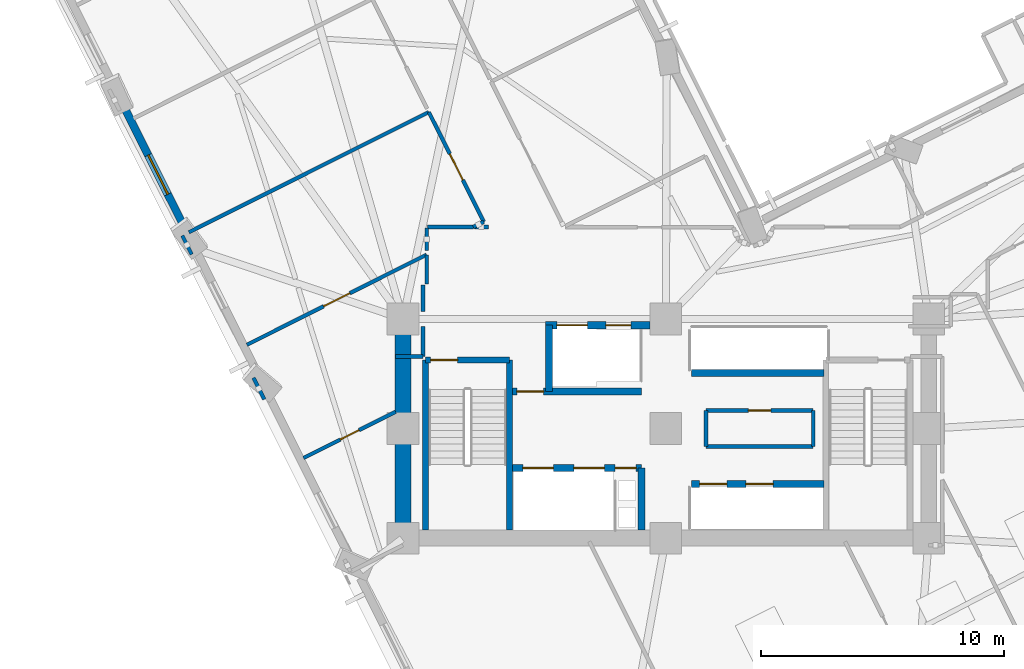
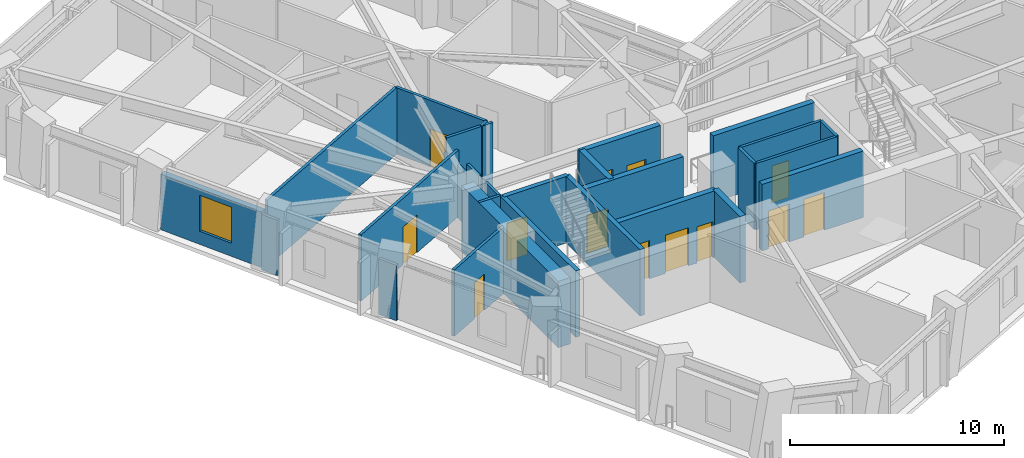
# One storey, part 8 of 16: 30 walls, 13 doors, 1 window, 14 openings.
"""IFC4 building model written with IfcOpenShell, lengths in metres."""

from ifc_helpers import new_model, si_unit, direction, frame, frame_2d, origin, place, context, subcontext, project, spatial, rectangle, extrude, material, layer, layer_set, type_object, element, fill, save


model = new_model("IFC4")

# Units and contexts
model_context = context("Model", 3, precision=1e-05, world=origin(), true_north=direction((0.0, 1.0)))
body_context = subcontext(model_context, "Body", "Model", "MODEL_VIEW")
ifc_project = project(units=[si_unit("LENGTHUNIT", "METRE"), si_unit("AREAUNIT", "SQUARE_METRE"), si_unit("VOLUMEUNIT", "CUBIC_METRE"), si_unit("PLANEANGLEUNIT", "RADIAN"), si_unit("MASSUNIT", "GRAM", prefix="KILO")], contexts=[model_context])

# Site, building, storey
site_placement = place(None, origin())
site = spatial("IfcSite", under=ifc_project, at=site_placement, CompositionType="ELEMENT")
building_placement = place(site_placement, origin())
building = spatial("IfcBuilding", under=site, at=building_placement, Name="Gaonmaruhae Medical Tower", CompositionType="ELEMENT")
storey_placement = place(building_placement, frame((0.0, 0.0, 136.39990234375)))
storey = spatial("IfcBuildingStorey", under=building, at=storey_placement, Name="L32", CompositionType="ELEMENT", Elevation=136.39990234375)

# Wall
ifc_material_1 = material(Name="Concrete C60/75", Category="concrete")
ifc_layer_1 = layer(ifc_material_1, 0.64990234375)
ifc_layer_set_1 = layer_set([ifc_layer_1], Name="Concrete C60/75")
wall_type_1 = type_object("IfcWallType", Name="CW-650 Zone 2 Core Shear Wall", PredefinedType="SHEAR", material=ifc_layer_set_1)
wall_1_placement = place(storey_placement, frame((14.0, 16.800048828125, 0.0), z_axis=(0.0, 0.0, 1.0), x_axis=(0.0, -1.0, 0.0)))
element("IfcWall", 1, at=wall_1_placement, inside=storey, type_object=wall_type_1, Name="L32 Core Shear Wall CSW-W1", PredefinedType="SHEAR", context=body_context, shape_type="SweptSolid", body=[
    extrude(rectangle(XDim=9.0, YDim=0.64990234375, at=frame_2d((4.5, 0.0))), origin(), (0.0, 0.0, 1.0), 3.780029296875),
])

# Wall, opening, window
ifc_material_2 = material(Name="Precast concrete C45/55", Category="concrete")
ifc_layer_2 = layer(ifc_material_2, 0.320068359375)
ifc_layer_set_2 = layer_set([ifc_layer_2], Name="Precast concrete C45/55")
wall_type_2 = type_object("IfcWallType", Name="EW-320 Lower Precast Masonry-Frame Facade Wall", PredefinedType="SOLIDWALL", material=ifc_layer_set_2)
wall_2_placement = place(storey_placement, frame((5.0869140625, 20.43408203125, 0.0), z_axis=(0.0, 0.0, 1.0), x_axis=(-0.447768773835, 0.894149386388, 0.0)))
wall_2 = element("IfcWall", 2, at=wall_2_placement, inside=storey, type_object=wall_type_2, Name="L32 Precast Masonry-Frame Wall W02-W03", PredefinedType="SOLIDWALL", context=body_context, shape_type="SweptSolid", body=[
    extrude(rectangle(XDim=5.6279296875, YDim=0.320068359375, at=frame_2d((2.81396484375, 0.0))), origin(), (0.0, 0.0, 1.0), 3.1650390625),
])
opening_1_placement = place(wall_2_placement, frame((1.666748046875, 0.0, 0.75)))
opening_1 = element("IfcOpeningElement", 3, at=opening_1_placement, cuts=wall_2, Name="Opening WN-04", PredefinedType="OPENING", context=body_context, shape_type="SweptSolid", body=[
    extrude(rectangle(XDim=1.800048828125, YDim=2.050048828125, at=frame_2d((0.89990234375, 1.02490234375))), frame((0.0, 0.169921875, 0.0), z_axis=(0.0, -1.0, 0.0), x_axis=(1.0, 0.0, 0.0)), (0.0, 0.0, 1.0), 0.340087890625),
])
ifc_material_3 = material(Name="Anodised aluminium and Low-E double glazing", Category="aluminium")
window_type = type_object("IfcWindowType", Name="WN-04 Clinic & Consult Punched Window 1800x2050", PartitioningType="SINGLE_PANEL", PredefinedType="WINDOW", material=ifc_material_3)
window_placement = place(opening_1_placement, origin())
window = element("IfcWindow", 4, at=window_placement, inside=storey, type_object=window_type, Name="L32 Modular Facade Window W02", OverallHeight=2.050048828125, OverallWidth=1.800048828125, PartitioningType="SINGLE_PANEL", PredefinedType="WINDOW", context=body_context, shape_type="SweptSolid", body=[
    extrude(rectangle(XDim=1.800048828125, YDim=2.050048828125, at=frame_2d((0.89990234375, 1.02490234375))), frame((0.0, 0.030029296875, 0.0), z_axis=(0.0, -1.0, 0.0), x_axis=(1.0, 0.0, 0.0)), (0.0, 0.0, 1.0), 0.06005859375),
])
fill(opening_1, window)

# Wall
ifc_material_4 = material(Name="Gypsum board partition", Category="gypsum")
ifc_layer_3 = layer(ifc_material_4, 0.14990234375)
ifc_layer_set_3 = layer_set([ifc_layer_3], Name="Gypsum board partition")
wall_type_3 = type_object("IfcWallType", Name="PW-150 Rated Clinical Corridor Partition", PredefinedType="PARTITIONING", material=ifc_layer_set_3)
wall_3_placement = place(storey_placement, frame((26.449951171875, 11.56005859375, 0.0), z_axis=(0.0, 0.0, 1.0), x_axis=(0.0, 1.0, 0.0)))
element("IfcWall", 5, at=wall_3_placement, inside=storey, type_object=wall_type_3, Name="L32 Interior Partition L32-CS1-1", PredefinedType="PARTITIONING", context=body_context, shape_type="SweptSolid", body=[
    extrude(rectangle(XDim=1.47998046875, YDim=0.14990234375, at=frame_2d((0.739990234375, 0.0))), origin(), (0.0, 0.0, 1.0), 3.780029296875),
])

# Wall, opening, door
wall_4_placement = place(storey_placement, frame((26.449951171875, 13.0400390625, 0.0), z_axis=(0.0, 0.0, 1.0), x_axis=(1.0, 0.0, 0.0)))
wall_4 = element("IfcWall", 6, at=wall_4_placement, inside=storey, type_object=wall_type_3, Name="L32 Interior Partition L32-CS1-2", PredefinedType="PARTITIONING", context=body_context, shape_type="SweptSolid", body=[
    extrude(rectangle(XDim=4.400146484375, YDim=0.14990234375, at=frame_2d((2.2001953125, 0.0))), origin(), (0.0, 0.0, 1.0), 3.780029296875),
])
opening_2_placement = place(wall_4_placement, frame((1.739990234375, 0.0, 0.0)))
opening_2 = element("IfcOpeningElement", 7, at=opening_2_placement, cuts=wall_4, Name="Opening UD-01", PredefinedType="OPENING", context=body_context, shape_type="SweptSolid", body=[
    extrude(rectangle(XDim=0.919921875, YDim=2.10009765625, at=frame_2d((0.4599609375, 1.050048828125))), frame((0.0, 0.0849609375, 0.0), z_axis=(0.0, -1.0, 0.0), x_axis=(1.0, 0.0, 0.0)), (0.0, 0.0, 1.0), 0.169921875),
])
ifc_material_5 = material(Name="Powder-coated steel utility door", Category="steel")
door_type_1 = type_object("IfcDoorType", Name="UD-01 Toilet, Utility & Housekeeping Door 920x2100", OperationType="NOTDEFINED", PredefinedType="DOOR", material=ifc_material_5)
door_1_placement = place(opening_2_placement, origin())
door_1 = element("IfcDoor", 8, at=door_1_placement, inside=storey, type_object=door_type_1, Name="L32 Clean Linen Utility Store Door", OperationType="SINGLE_SWING_RIGHT", OverallHeight=2.10009765625, OverallWidth=0.919921875, PredefinedType="DOOR", context=body_context, shape_type="SweptSolid", body=[
    extrude(rectangle(XDim=0.919921875, YDim=2.10009765625, at=frame_2d((0.4599609375, 1.050048828125))), frame((0.0, 0.02490234375, 0.0), z_axis=(0.0, -1.0, 0.0), x_axis=(1.0, 0.0, 0.0)), (0.0, 0.0, 1.0), 0.050048828125),
])
fill(opening_2, door_1)

# Walls
wall_5_placement = place(storey_placement, frame((30.85009765625, 13.0400390625, 0.0), z_axis=(0.0, 0.0, 1.0), x_axis=(0.0, -1.0, 0.0)))
element("IfcWall", 9, at=wall_5_placement, inside=storey, type_object=wall_type_3, Name="L32 Interior Partition L32-CS1-3", PredefinedType="PARTITIONING", context=body_context, shape_type="SweptSolid", body=[
    extrude(rectangle(XDim=1.47998046875, YDim=0.14990234375, at=frame_2d((0.739990234375, 0.0))), origin(), (0.0, 0.0, 1.0), 3.780029296875),
])
wall_6_placement = place(storey_placement, frame((30.85009765625, 11.56005859375, 0.0), z_axis=(0.0, 0.0, 1.0), x_axis=(-1.0, 0.0, 0.0)))
element("IfcWall", 10, at=wall_6_placement, inside=storey, type_object=wall_type_3, Name="L32 Interior Partition L32-CS1-4", PredefinedType="PARTITIONING", context=body_context, shape_type="SweptSolid", body=[
    extrude(rectangle(XDim=4.400146484375, YDim=0.14990234375, at=frame_2d((2.2001953125, 0.0))), origin(), (0.0, 0.0, 1.0), 3.780029296875),
])

# Wall, opening, door
wall_7_placement = place(storey_placement, frame((9.9150390625, 11.093994140625, 0.0), z_axis=(0.0, 0.0, 1.0), x_axis=(0.894092441926, 0.447882468167, 0.0)))
wall_7 = element("IfcWall", 11, at=wall_7_placement, inside=storey, type_object=wall_type_3, Name="L32 Interior Partition L32-WOF11-37", PredefinedType="PARTITIONING", context=body_context, shape_type="SweptSolid", body=[
    extrude(rectangle(XDim=4.233154296875, YDim=0.14990234375, at=frame_2d((2.11669921875, 0.0))), origin(), (0.0, 0.0, 1.0), 3.780029296875),
])
opening_3_placement = place(wall_7_placement, frame((1.686767578125, 0.0, 0.0)))
opening_3 = element("IfcOpeningElement", 12, at=opening_3_placement, cuts=wall_7, Name="Opening AD-01", PredefinedType="OPENING", context=body_context, shape_type="SweptSolid", body=[
    extrude(rectangle(XDim=0.860107421875, YDim=2.06005859375, at=frame_2d((0.43017578125, 1.030029296875))), frame((0.0, 0.0849609375, 0.0), z_axis=(0.0, -1.0, 0.0), x_axis=(1.0, 0.0, 0.0)), (0.0, 0.0, 1.0), 0.169921875),
])
ifc_material_6 = material(Name="Powder-coated steel access door", Category="steel")
door_type_2 = type_object("IfcDoorType", Name="AD-01 Riser & Closet Access Fire Door 860x2060", OperationType="NOTDEFINED", PredefinedType="DOOR", material=ifc_material_6)
door_2_placement = place(opening_3_placement, origin())
door_2 = element("IfcDoor", 13, at=door_2_placement, inside=storey, type_object=door_type_2, Name="L32 Ward Physician Reporting Office Sliding Door", OperationType="SLIDING_TO_LEFT", OverallHeight=2.06005859375, OverallWidth=0.860107421875, PredefinedType="DOOR", context=body_context, shape_type="SweptSolid", body=[
    extrude(rectangle(XDim=0.860107421875, YDim=2.06005859375, at=frame_2d((0.43017578125, 1.030029296875))), frame((0.0, 0.02490234375, 0.0), z_axis=(0.0, -1.0, 0.0), x_axis=(1.0, 0.0, 0.0)), (0.0, 0.0, 1.0), 0.050048828125),
])
fill(opening_3, door_2)

# Walls
wall_8_placement = place(storey_placement, frame((14.820068359375, 18.199951171875, 0.0), z_axis=(0.0, 0.0, 1.0), x_axis=(0.0, -1.0, 0.0)))
element("IfcWall", 14, at=wall_8_placement, inside=storey, type_object=wall_type_3, Name="L32 Interior Partition L32-WCL12-38", PredefinedType="PARTITIONING", context=body_context, shape_type="SweptSolid", body=[
    extrude(rectangle(XDim=1.091064453125, YDim=0.14990234375, at=frame_2d((0.54541015625, 0.0))), origin(), (0.0, 0.0, 1.0), 3.780029296875),
])
wall_9_placement = place(storey_placement, frame((14.820068359375, 16.490966796875, 0.0), z_axis=(0.0, 0.0, 1.0), x_axis=(0.0, -1.0, 0.0)))
element("IfcWall", 15, at=wall_9_placement, inside=storey, type_object=wall_type_3, Name="L32 Interior Partition L32-WCL12-39", PredefinedType="PARTITIONING", context=body_context, shape_type="SweptSolid", body=[
    extrude(rectangle(XDim=1.23095703125, YDim=0.14990234375, at=frame_2d((0.615478515625, 0.0))), origin(), (0.0, 0.0, 1.0), 3.780029296875),
])
wall_10_placement = place(storey_placement, frame((14.820068359375, 15.260009765625, 0.0), z_axis=(0.0, 0.0, 1.0), x_axis=(-1.0, 0.0, 0.0)))
element("IfcWall", 16, at=wall_10_placement, inside=storey, type_object=wall_type_3, Name="L32 Interior Partition L32-WCL12-40", PredefinedType="PARTITIONING", context=body_context, shape_type="SweptSolid", body=[
    extrude(rectangle(XDim=1.1201171875, YDim=0.14990234375, at=frame_2d((0.56005859375, 0.0))), origin(), (0.0, 0.0, 1.0), 3.780029296875),
])
wall_11_placement = place(storey_placement, frame((8.301025390625, 13.501953125, 0.0), z_axis=(0.0, 0.0, 1.0), x_axis=(-0.448492436282, 0.893786626996, 0.0)))
element("IfcWall", 17, at=wall_11_placement, inside=storey, type_object=wall_type_3, Name="L32 Interior Partition L32-WCL12-41", PredefinedType="PARTITIONING", context=body_context, shape_type="SweptSolid", body=[
    extrude(rectangle(XDim=0.992431640625, YDim=0.14990234375, at=frame_2d((0.49609375, 0.0))), origin(), (0.0, 0.0, 1.0), 3.1650390625),
])

# Wall, opening, door
wall_12_placement = place(storey_placement, frame((7.5869140625, 15.743896484375, 0.0), z_axis=(0.0, 0.0, 1.0), x_axis=(0.894160922131, 0.447745737371, 0.0)))
wall_12 = element("IfcWall", 18, at=wall_12_placement, inside=storey, type_object=wall_type_3, Name="L32 Interior Partition L32-WCL12-42", PredefinedType="PARTITIONING", context=body_context, shape_type="SweptSolid", body=[
    extrude(rectangle(XDim=8.257080078125, YDim=0.14990234375, at=frame_2d((4.12841796875, 0.0))), origin(), (0.0, 0.0, 1.0), 3.780029296875),
])
opening_4_placement = place(wall_12_placement, frame((3.528564453125, 0.0, 0.0)))
opening_4 = element("IfcOpeningElement", 19, at=opening_4_placement, cuts=wall_12, Name="Opening CD-02", PredefinedType="OPENING", context=body_context, shape_type="SweptSolid", body=[
    extrude(rectangle(XDim=1.199951171875, YDim=2.14990234375, at=frame_2d((0.60009765625, 1.074951171875))), frame((0.0, 0.0849609375, 0.0), z_axis=(0.0, -1.0, 0.0), x_axis=(1.0, 0.0, 0.0)), (0.0, 0.0, 1.0), 0.169921875),
])
ifc_material_7 = material(Name="Antimicrobial laminate timber fire door", Category="wood")
door_type_3 = type_object("IfcDoorType", Name="CD-02 Clinical Treatment & Procedure Door 1200x2150", OperationType="NOTDEFINED", PredefinedType="DOOR", material=ifc_material_7)
door_3_placement = place(opening_4_placement, origin())
door_3 = element("IfcDoor", 20, at=door_3_placement, inside=storey, type_object=door_type_3, Name="L32 Specialist Consultation Office Sliding Door", OperationType="SLIDING_TO_LEFT", OverallHeight=2.14990234375, OverallWidth=1.199951171875, PredefinedType="DOOR", context=body_context, shape_type="SweptSolid", body=[
    extrude(rectangle(XDim=1.199951171875, YDim=2.14990234375, at=frame_2d((0.60009765625, 1.074951171875))), frame((0.0, 0.02490234375, 0.0), z_axis=(0.0, -1.0, 0.0), x_axis=(1.0, 0.0, 0.0)), (0.0, 0.0, 1.0), 0.050048828125),
])
fill(opening_4, door_3)

# Walls
wall_13_placement = place(storey_placement, frame((14.969970703125, 19.44091796875, 0.0), z_axis=(0.0, 0.0, 1.0), x_axis=(0.0, -1.0, 0.0)))
element("IfcWall", 21, at=wall_13_placement, inside=storey, type_object=wall_type_3, Name="L32 Interior Partition L32-WCL12-43", PredefinedType="PARTITIONING", context=body_context, shape_type="SweptSolid", body=[
    extrude(rectangle(XDim=1.2109375, YDim=0.14990234375, at=frame_2d((0.60546875, 0.0))), origin(), (0.0, 0.0, 1.0), 2.965087890625),
])
wall_14_placement = place(storey_placement, frame((14.969970703125, 20.550048828125, 0.0), z_axis=(0.0, 0.0, 1.0), x_axis=(0.0, -1.0, 0.0)))
element("IfcWall", 22, at=wall_14_placement, inside=storey, type_object=wall_type_3, Name="L32 Interior Partition L32-WOF13-44", PredefinedType="PARTITIONING", context=body_context, shape_type="SweptSolid", body=[
    extrude(rectangle(XDim=0.929931640625, YDim=0.14990234375, at=frame_2d((0.46484375, 0.0))), origin(), (0.0, 0.0, 1.0), 2.965087890625),
])
wall_15_placement = place(storey_placement, frame((5.321044921875, 19.451904296875, 0.0), z_axis=(0.0, 0.0, 1.0), x_axis=(-0.447325844386, 0.894371057752, 0.0)))
element("IfcWall", 23, at=wall_15_placement, inside=storey, type_object=wall_type_3, Name="L32 Interior Partition L32-WOF13-45", PredefinedType="PARTITIONING", context=body_context, shape_type="SweptSolid", body=[
    extrude(rectangle(XDim=0.869873046875, YDim=0.14990234375, at=frame_2d((0.43505859375, 0.0))), origin(), (0.0, 0.0, 1.0), 3.1650390625),
])
wall_16_placement = place(storey_placement, frame((5.202880859375, 20.365966796875, 0.0), z_axis=(0.0, 0.0, 1.0), x_axis=(0.894174650725, 0.447718319929, 0.0)))
element("IfcWall", 24, at=wall_16_placement, inside=storey, type_object=wall_type_3, Name="L32 Interior Partition L32-WOF13-46", PredefinedType="PARTITIONING", context=body_context, shape_type="SweptSolid", body=[
    extrude(rectangle(XDim=11.027099609375, YDim=0.14990234375, at=frame_2d((5.513671875, 0.0))), origin(), (0.0, 0.0, 1.0), 3.780029296875),
])

# Wall, opening, door
wall_17_placement = place(storey_placement, frame((15.06298828125, 25.302978515625, 0.0), z_axis=(0.0, 0.0, 1.0), x_axis=(0.447620432857, -0.894223656637, 0.0)))
wall_17 = element("IfcWall", 25, at=wall_17_placement, inside=storey, type_object=wall_type_3, Name="L32 Interior Partition L32-WOF13-47", PredefinedType="PARTITIONING", context=body_context, shape_type="SweptSolid", body=[
    extrude(rectangle(XDim=5.040283203125, YDim=0.14990234375, at=frame_2d((2.52001953125, 0.0))), origin(), (0.0, 0.0, 1.0), 3.780029296875),
])
opening_5_placement = place(wall_17_placement, frame((1.919921875, 0.0, 0.0)))
opening_5 = element("IfcOpeningElement", 26, at=opening_5_placement, cuts=wall_17, Name="Opening CD-02", PredefinedType="OPENING", context=body_context, shape_type="SweptSolid", body=[
    extrude(rectangle(XDim=1.199951171875, YDim=2.14990234375, at=frame_2d((0.60009765625, 1.074951171875))), frame((0.0, 0.0849609375, 0.0), z_axis=(0.0, -1.0, 0.0), x_axis=(1.0, 0.0, 0.0)), (0.0, 0.0, 1.0), 0.169921875),
])
door_4_placement = place(opening_5_placement, origin())
door_4 = element("IfcDoor", 27, at=door_4_placement, inside=storey, type_object=door_type_3, Name="L32 Ward Physician Reporting Office Door", OperationType="SINGLE_SWING_RIGHT", OverallHeight=2.14990234375, OverallWidth=1.199951171875, PredefinedType="DOOR", context=body_context, shape_type="SweptSolid", body=[
    extrude(rectangle(XDim=1.199951171875, YDim=2.14990234375, at=frame_2d((0.60009765625, 1.074951171875))), frame((0.0, 0.02490234375, 0.0), z_axis=(0.0, -1.0, 0.0), x_axis=(1.0, 0.0, 0.0)), (0.0, 0.0, 1.0), 0.050048828125),
])
fill(opening_5, door_4)

# Walls
wall_18_placement = place(storey_placement, frame((17.319091796875, 20.7958984375, 0.0), z_axis=(0.0, 0.0, 1.0), x_axis=(-0.894629275708, -0.446809197585, 0.0)))
element("IfcWall", 28, at=wall_18_placement, inside=storey, type_object=wall_type_3, Name="L32 Interior Partition L32-WOF13-48", PredefinedType="PARTITIONING", context=body_context, shape_type="SweptSolid", body=[
    extrude(rectangle(XDim=0.48291015625, YDim=0.14990234375, at=frame_2d((0.241455078125, 0.0))), origin(), (0.0, 0.0, 1.0), 3.780029296875),
])
wall_19_placement = place(storey_placement, frame((16.886962890625, 20.580078125, 0.0), z_axis=(0.0, 0.0, 1.0), x_axis=(-1.0, 0.0, 0.0)))
element("IfcWall", 29, at=wall_19_placement, inside=storey, type_object=wall_type_3, Name="L32 Interior Partition L32-WOF13-49", PredefinedType="PARTITIONING", context=body_context, shape_type="SweptSolid", body=[
    extrude(rectangle(XDim=1.889892578125, YDim=0.14990234375, at=frame_2d((0.94482421875, 0.0))), origin(), (0.0, 0.0, 1.0), 3.780029296875),
])
wall_20_placement = place(storey_placement, frame((17.506103515625, 20.580078125, 0.0), z_axis=(0.0, 0.0, 1.0), x_axis=(-1.0, 0.0, 0.0)))
element("IfcWall", 30, at=wall_20_placement, inside=storey, type_object=wall_type_3, Name="L32 Interior Partition L32-RM03-101", PredefinedType="PARTITIONING", context=body_context, shape_type="SweptSolid", body=[
    extrude(rectangle(XDim=0.57421875, YDim=0.14990234375, at=frame_2d((0.287109375, 0.0))), origin(), (0.0, 0.0, 1.0), 3.780029296875),
])

# Wall, opening, door
ifc_material_8 = material(Name="Concrete C50/60", Category="concrete")
ifc_layer_4 = layer(ifc_material_8, 0.239990234375)
ifc_layer_set_4 = layer_set([ifc_layer_4], Name="Concrete C50/60")
wall_type_4 = type_object("IfcWallType", Name="SW-240 Dogleg Stair Tight Shaft Wall", PredefinedType="SOLIDWALL", material=ifc_layer_set_4)
wall_21_placement = place(storey_placement, frame((14.919921875, 15.1201171875, 0.0), z_axis=(0.0, 0.0, 1.0), x_axis=(1.0, 0.0, 0.0)))
wall_21 = element("IfcWall", 31, at=wall_21_placement, inside=storey, type_object=wall_type_4, Name="L32 ST-01 Stair Shaft Wall SHW-ST-01-N", PredefinedType="SOLIDWALL", context=body_context, shape_type="SweptSolid", body=[
    extrude(rectangle(XDim=3.4599609375, YDim=0.239990234375, at=frame_2d((1.72998046875, 0.0))), origin(), (0.0, 0.0, 1.0), 3.780029296875),
])
opening_6_placement = place(wall_21_placement, frame((0.219970703125, 0.0, 0.0)))
opening_6 = element("IfcOpeningElement", 32, at=opening_6_placement, cuts=wall_21, Name="Opening FD-01", PredefinedType="OPENING", context=body_context, shape_type="SweptSolid", body=[
    extrude(rectangle(XDim=1.10009765625, YDim=2.14990234375, at=frame_2d((0.550048828125, 1.074951171875))), frame((0.0, 0.1298828125, 0.0), z_axis=(0.0, -1.0, 0.0), x_axis=(1.0, 0.0, 0.0)), (0.0, 0.0, 1.0), 0.260009765625),
])
ifc_material_9 = material(Name="Powder-coated steel fire door", Category="steel")
door_type_4 = type_object("IfcDoorType", Name="FD-01 Escape Stair Protected Fire Door 1100x2150", OperationType="NOTDEFINED", PredefinedType="DOOR", material=ifc_material_9)
door_5_placement = place(opening_6_placement, origin())
door_5 = element("IfcDoor", 33, at=door_5_placement, inside=storey, type_object=door_type_4, Name="L32 ST-01 Protected Escape Stair Door", OperationType="SINGLE_SWING_RIGHT", OverallHeight=2.14990234375, OverallWidth=1.10009765625, PredefinedType="DOOR", context=body_context, shape_type="SweptSolid", body=[
    extrude(rectangle(XDim=1.10009765625, YDim=2.14990234375, at=frame_2d((0.550048828125, 1.074951171875))), frame((0.0, 0.02490234375, 0.0), z_axis=(0.0, -1.0, 0.0), x_axis=(1.0, 0.0, 0.0)), (0.0, 0.0, 1.0), 0.050048828125),
])
fill(opening_6, door_5)

# Walls
for number, where, z_axis, x_axis, name in (
    (34, (18.3798828125, 15.1201171875, 0.0), (0.0, 0.0, 1.0), (0.0, -1.0, 0.0), "L32 ST-01 Stair Shaft Wall SHW-ST-01-E"),
    (35, (14.919921875, 8.125, 0.0), (0.0, 0.0, 1.0), (0.0, 1.0, 0.0), "L32 ST-01 Stair Shaft Wall SHW-ST-01-W"),
):
    element("IfcWall", number, at=place(storey_placement, frame(where, z_axis=z_axis, x_axis=x_axis)), inside=storey, type_object=wall_type_4, Name=name, PredefinedType="SOLIDWALL", context=body_context, shape_type="SweptSolid", body=[
        extrude(rectangle(XDim=6.9951171875, YDim=0.239990234375, at=frame_2d((3.49755859375, 0.0))), origin(), (0.0, 0.0, 1.0), 3.780029296875),
    ])

# Wall, openings, doors
ifc_layer_5 = layer(ifc_material_8, 0.300048828125)
ifc_layer_set_5 = layer_set([ifc_layer_5], Name="Concrete C50/60")
wall_type_5 = type_object("IfcWallType", Name="SW-300 Stair & Lift Hoistway Shaft Wall", PredefinedType="SOLIDWALL", material=ifc_layer_set_5)
wall_22_placement = place(storey_placement, frame((19.85009765625, 16.550048828125, 0.0), z_axis=(0.0, 0.0, 1.0), x_axis=(1.0, 0.0, 0.0)))
wall_22 = element("IfcWall", 36, at=wall_22_placement, inside=storey, type_object=wall_type_5, Name="L32 Core Shear Wall CSW-NB", PredefinedType="SOLIDWALL", context=body_context, shape_type="SweptSolid", body=[
    extrude(rectangle(XDim=4.2998046875, YDim=0.300048828125, at=frame_2d((2.14990234375, 0.0))), origin(), (0.0, 0.0, 1.0), 3.780029296875),
])
opening_7_placement = place(wall_22_placement, frame((0.47509765625, 0.0, 0.0)))
opening_7 = element("IfcOpeningElement", 37, at=opening_7_placement, cuts=wall_22, Name="Opening LD-F1", PredefinedType="OPENING", context=body_context, shape_type="SweptSolid", body=[
    extrude(rectangle(XDim=1.25, YDim=2.179931640625, at=frame_2d((0.625, 1.08984375))), frame((0.0, 0.16015625, 0.0), z_axis=(0.0, -1.0, 0.0), x_axis=(1.0, 0.0, 0.0)), (0.0, 0.0, 1.0), 0.320068359375),
])
opening_8_placement = place(wall_22_placement, frame((2.489990234375, 0.0, 0.0)))
opening_8 = element("IfcOpeningElement", 38, at=opening_8_placement, cuts=wall_22, Name="Opening LD-S1", PredefinedType="OPENING", context=body_context, shape_type="SweptSolid", body=[
    extrude(rectangle(XDim=1.02001953125, YDim=2.1201171875, at=frame_2d((0.510009765625, 1.06005859375))), frame((0.0, 0.16015625, 0.0), z_axis=(0.0, -1.0, 0.0), x_axis=(1.0, 0.0, 0.0)), (0.0, 0.0, 1.0), 0.320068359375),
])
ifc_material_10 = material(Name="Brushed stainless steel 316L landing door", Category="steel")
door_type_5 = type_object("IfcDoorType", Name="LD-F1 Firefighting & Bed Lift Sliding Landing Door 1250x2180", OperationType="NOTDEFINED", PredefinedType="DOOR", material=ifc_material_10)
door_6_placement = place(opening_7_placement, origin())
door_6 = element("IfcDoor", 39, at=door_6_placement, inside=storey, type_object=door_type_5, Name="L32 Service/Bed Lift Landing Door BDL-01", OperationType="DOUBLE_DOOR_SLIDING", OverallHeight=2.179931640625, OverallWidth=1.25, PredefinedType="DOOR", context=body_context, shape_type="SweptSolid", body=[
    extrude(rectangle(XDim=1.25, YDim=2.179931640625, at=frame_2d((0.625, 1.08984375))), frame((0.0, 0.02490234375, 0.0), z_axis=(0.0, -1.0, 0.0), x_axis=(1.0, 0.0, 0.0)), (0.0, 0.0, 1.0), 0.050048828125),
])
fill(opening_7, door_6)
ifc_material_11 = material(Name="Brushed stainless steel 304 landing door", Category="steel")
door_type_6 = type_object("IfcDoorType", Name="LD-S1 Service Lift Sliding Landing Door 1020x2120", OperationType="NOTDEFINED", PredefinedType="DOOR", material=ifc_material_11)
door_7_placement = place(opening_8_placement, origin())
door_7 = element("IfcDoor", 40, at=door_7_placement, inside=storey, type_object=door_type_6, Name="L32 Service/Bed Lift Landing Door SVL-01", OperationType="SLIDING_TO_LEFT", OverallHeight=2.1201171875, OverallWidth=1.02001953125, PredefinedType="DOOR", context=body_context, shape_type="SweptSolid", body=[
    extrude(rectangle(XDim=1.02001953125, YDim=2.1201171875, at=frame_2d((0.510009765625, 1.06005859375))), frame((0.0, 0.02490234375, 0.0), z_axis=(0.0, -1.0, 0.0), x_axis=(1.0, 0.0, 0.0)), (0.0, 0.0, 1.0), 0.050048828125),
])
fill(opening_8, door_7)

wall_23_placement = place(storey_placement, frame((18.5, 10.679931640625, 0.0), z_axis=(0.0, 0.0, 1.0), x_axis=(1.0, 0.0, 0.0)))
wall_23 = element("IfcWall", 41, at=wall_23_placement, inside=storey, type_object=wall_type_5, Name="L32 Shaft Enclosure Wall SHW-FFN", PredefinedType="SOLIDWALL", context=body_context, shape_type="SweptSolid", body=[
    extrude(rectangle(XDim=5.300048828125, YDim=0.300048828125, at=frame_2d((2.64990234375, 0.0))), origin(), (0.0, 0.0, 1.0), 3.780029296875),
])
opening_9_placement = place(wall_23_placement, frame((4.219970703125, 0.0, 0.0)))
opening_9 = element("IfcOpeningElement", 42, at=opening_9_placement, cuts=wall_23, Name="Opening AD-01", PredefinedType="OPENING", context=body_context, shape_type="SweptSolid", body=[
    extrude(rectangle(XDim=0.860107421875, YDim=2.06005859375, at=frame_2d((0.43017578125, 1.030029296875))), frame((0.0, 0.16015625, 0.0), z_axis=(0.0, -1.0, 0.0), x_axis=(1.0, 0.0, 0.0)), (0.0, 0.0, 1.0), 0.320068359375),
])
opening_10_placement = place(wall_23_placement, frame((0.425048828125, 0.0, 0.0)))
opening_10 = element("IfcOpeningElement", 43, at=opening_10_placement, cuts=wall_23, Name="Opening LD-F1", PredefinedType="OPENING", context=body_context, shape_type="SweptSolid", body=[
    extrude(rectangle(XDim=1.25, YDim=2.179931640625, at=frame_2d((0.625, 1.08984375))), frame((0.0, 0.16015625, 0.0), z_axis=(0.0, -1.0, 0.0), x_axis=(1.0, 0.0, 0.0)), (0.0, 0.0, 1.0), 0.320068359375),
])
opening_11_placement = place(wall_23_placement, frame((2.52490234375, 0.0, 0.0)))
opening_11 = element("IfcOpeningElement", 44, at=opening_11_placement, cuts=wall_23, Name="Opening LD-F1", PredefinedType="OPENING", context=body_context, shape_type="SweptSolid", body=[
    extrude(rectangle(XDim=1.25, YDim=2.179931640625, at=frame_2d((0.625, 1.08984375))), frame((0.0, 0.16015625, 0.0), z_axis=(0.0, -1.0, 0.0), x_axis=(1.0, 0.0, 0.0)), (0.0, 0.0, 1.0), 0.320068359375),
])
door_8_placement = place(opening_9_placement, origin())
door_8 = element("IfcDoor", 45, at=door_8_placement, inside=storey, type_object=door_type_2, Name="L32 Medical Gas and MEP Riser Access Door", OperationType="SINGLE_SWING_RIGHT", OverallHeight=2.06005859375, OverallWidth=0.860107421875, PredefinedType="DOOR", context=body_context, shape_type="SweptSolid", body=[
    extrude(rectangle(XDim=0.860107421875, YDim=2.06005859375, at=frame_2d((0.43017578125, 1.030029296875))), frame((0.0, 0.02490234375, 0.0), z_axis=(0.0, -1.0, 0.0), x_axis=(1.0, 0.0, 0.0)), (0.0, 0.0, 1.0), 0.050048828125),
])
fill(opening_9, door_8)
door_9_placement = place(opening_10_placement, origin())
door_9 = element("IfcDoor", 46, at=door_9_placement, inside=storey, type_object=door_type_5, Name="L32 Firefighting Lift Landing Door FFL-01", OperationType="DOUBLE_DOOR_SLIDING", OverallHeight=2.179931640625, OverallWidth=1.25, PredefinedType="DOOR", context=body_context, shape_type="SweptSolid", body=[
    extrude(rectangle(XDim=1.25, YDim=2.179931640625, at=frame_2d((0.625, 1.08984375))), frame((0.0, 0.02490234375, 0.0), z_axis=(0.0, -1.0, 0.0), x_axis=(1.0, 0.0, 0.0)), (0.0, 0.0, 1.0), 0.050048828125),
])
fill(opening_10, door_9)
door_10_placement = place(opening_11_placement, origin())
door_10 = element("IfcDoor", 47, at=door_10_placement, inside=storey, type_object=door_type_5, Name="L32 Firefighting Lift Landing Door FFL-02", OperationType="DOUBLE_DOOR_SLIDING", OverallHeight=2.179931640625, OverallWidth=1.25, PredefinedType="DOOR", context=body_context, shape_type="SweptSolid", body=[
    extrude(rectangle(XDim=1.25, YDim=2.179931640625, at=frame_2d((0.625, 1.08984375))), frame((0.0, 0.02490234375, 0.0), z_axis=(0.0, -1.0, 0.0), x_axis=(1.0, 0.0, 0.0)), (0.0, 0.0, 1.0), 0.050048828125),
])
fill(opening_11, door_10)

# Wall, opening, door
wall_24_placement = place(storey_placement, frame((18.5, 13.820068359375, 0.0), z_axis=(0.0, 0.0, 1.0), x_axis=(1.0, 0.0, 0.0)))
wall_24 = element("IfcWall", 48, at=wall_24_placement, inside=storey, type_object=wall_type_5, Name="L32 Shaft Enclosure Wall SHW-FFL", PredefinedType="SOLIDWALL", context=body_context, shape_type="SweptSolid", body=[
    extrude(rectangle(XDim=5.300048828125, YDim=0.300048828125, at=frame_2d((2.64990234375, 0.0))), origin(), (0.0, 0.0, 1.0), 3.780029296875),
])
opening_12_placement = place(wall_24_placement, frame((0.179931640625, 0.0, 0.0)))
opening_12 = element("IfcOpeningElement", 49, at=opening_12_placement, cuts=wall_24, Name="Opening FD-01", PredefinedType="OPENING", context=body_context, shape_type="SweptSolid", body=[
    extrude(rectangle(XDim=1.10009765625, YDim=2.14990234375, at=frame_2d((0.550048828125, 1.074951171875))), frame((0.0, 0.16015625, 0.0), z_axis=(0.0, -1.0, 0.0), x_axis=(1.0, 0.0, 0.0)), (0.0, 0.0, 1.0), 0.320068359375),
])
door_11_placement = place(opening_12_placement, origin())
door_11 = element("IfcDoor", 50, at=door_11_placement, inside=storey, type_object=door_type_4, Name="L32 Firefighting Lobby Smoke Door", OperationType="SINGLE_SWING_LEFT", OverallHeight=2.14990234375, OverallWidth=1.10009765625, PredefinedType="DOOR", context=body_context, shape_type="SweptSolid", body=[
    extrude(rectangle(XDim=1.10009765625, YDim=2.14990234375, at=frame_2d((0.550048828125, 1.074951171875))), frame((0.0, 0.02490234375, 0.0), z_axis=(0.0, -1.0, 0.0), x_axis=(1.0, 0.0, 0.0)), (0.0, 0.0, 1.0), 0.050048828125),
])
fill(opening_12, door_11)

# Walls
wall_25_placement = place(storey_placement, frame((23.800048828125, 8.125, 0.0), z_axis=(0.0, 0.0, 1.0), x_axis=(0.0, 1.0, 0.0)))
element("IfcWall", 51, at=wall_25_placement, inside=storey, type_object=wall_type_5, Name="L32 Shaft Enclosure Wall SHW-FFE", PredefinedType="SOLIDWALL", context=body_context, shape_type="SweptSolid", body=[
    extrude(rectangle(XDim=2.554931640625, YDim=0.300048828125, at=frame_2d((1.27734375, 0.0))), origin(), (0.0, 0.0, 1.0), 3.780029296875),
])
wall_26_placement = place(storey_placement, frame((20.0, 13.820068359375, 0.0), z_axis=(0.0, 0.0, 1.0), x_axis=(0.0, 1.0, 0.0)))
element("IfcWall", 52, at=wall_26_placement, inside=storey, type_object=wall_type_5, Name="L32 Shaft Enclosure Wall SHW-BDW", PredefinedType="SOLIDWALL", context=body_context, shape_type="SweptSolid", body=[
    extrude(rectangle(XDim=2.72998046875, YDim=0.300048828125, at=frame_2d((1.364990234375, 0.0))), origin(), (0.0, 0.0, 1.0), 3.780029296875),
])

# Wall, openings, doors
wall_27_placement = place(storey_placement, frame((25.85009765625, 10.02001953125, 0.0), z_axis=(0.0, 0.0, 1.0), x_axis=(1.0, 0.0, 0.0)))
wall_27 = element("IfcWall", 53, at=wall_27_placement, inside=storey, type_object=wall_type_5, Name="L32 Shaft Enclosure Wall SHW-PLS", PredefinedType="SOLIDWALL", context=body_context, shape_type="SweptSolid", body=[
    extrude(rectangle(XDim=5.449951171875, YDim=0.300048828125, at=frame_2d((2.72509765625, 0.0))), origin(), (0.0, 0.0, 1.0), 3.780029296875),
])
opening_13_placement = place(wall_27_placement, frame((0.340087890625, 0.0, 0.0)))
opening_13 = element("IfcOpeningElement", 54, at=opening_13_placement, cuts=wall_27, Name="Opening LD-P1", PredefinedType="OPENING", context=body_context, shape_type="SweptSolid", body=[
    extrude(rectangle(XDim=1.1201171875, YDim=2.14990234375, at=frame_2d((0.56005859375, 1.074951171875))), frame((0.0, 0.16015625, 0.0), z_axis=(0.0, -1.0, 0.0), x_axis=(1.0, 0.0, 0.0)), (0.0, 0.0, 1.0), 0.320068359375),
])
opening_14_placement = place(wall_27_placement, frame((2.239990234375, 0.0, 0.0)))
opening_14 = element("IfcOpeningElement", 55, at=opening_14_placement, cuts=wall_27, Name="Opening LD-P1", PredefinedType="OPENING", context=body_context, shape_type="SweptSolid", body=[
    extrude(rectangle(XDim=1.1201171875, YDim=2.14990234375, at=frame_2d((0.56005859375, 1.074951171875))), frame((0.0, 0.16015625, 0.0), z_axis=(0.0, -1.0, 0.0), x_axis=(1.0, 0.0, 0.0)), (0.0, 0.0, 1.0), 0.320068359375),
])
door_type_7 = type_object("IfcDoorType", Name="LD-P1 Passenger Lift Sliding Landing Door 1120x2150", OperationType="NOTDEFINED", PredefinedType="DOOR", material=ifc_material_11)
door_12_placement = place(opening_13_placement, origin())
door_12 = element("IfcDoor", 56, at=door_12_placement, inside=storey, type_object=door_type_7, Name="L32 Passenger Lift Landing Door PL-L1", OperationType="DOUBLE_DOOR_SLIDING", OverallHeight=2.14990234375, OverallWidth=1.1201171875, PredefinedType="DOOR", context=body_context, shape_type="SweptSolid", body=[
    extrude(rectangle(XDim=1.1201171875, YDim=2.14990234375, at=frame_2d((0.56005859375, 1.074951171875))), frame((0.0, 0.02490234375, 0.0), z_axis=(0.0, -1.0, 0.0), x_axis=(1.0, 0.0, 0.0)), (0.0, 0.0, 1.0), 0.050048828125),
])
fill(opening_13, door_12)
door_13_placement = place(opening_14_placement, origin())
door_13 = element("IfcDoor", 57, at=door_13_placement, inside=storey, type_object=door_type_7, Name="L32 Passenger Lift Landing Door PL-L2", OperationType="DOUBLE_DOOR_SLIDING", OverallHeight=2.14990234375, OverallWidth=1.1201171875, PredefinedType="DOOR", context=body_context, shape_type="SweptSolid", body=[
    extrude(rectangle(XDim=1.1201171875, YDim=2.14990234375, at=frame_2d((0.56005859375, 1.074951171875))), frame((0.0, 0.02490234375, 0.0), z_axis=(0.0, -1.0, 0.0), x_axis=(1.0, 0.0, 0.0)), (0.0, 0.0, 1.0), 0.050048828125),
])
fill(opening_14, door_13)

# Wall
wall_28_placement = place(storey_placement, frame((25.85009765625, 14.580078125, 0.0), z_axis=(0.0, 0.0, 1.0), x_axis=(1.0, 0.0, 0.0)))
element("IfcWall", 58, at=wall_28_placement, inside=storey, type_object=wall_type_5, Name="L32 Shaft Enclosure Wall SHW-PLN", PredefinedType="SOLIDWALL", context=body_context, shape_type="SweptSolid", body=[
    extrude(rectangle(XDim=5.449951171875, YDim=0.300048828125, at=frame_2d((2.72509765625, 0.0))), origin(), (0.0, 0.0, 1.0), 3.780029296875),
])

save(model, "model.ifc")
